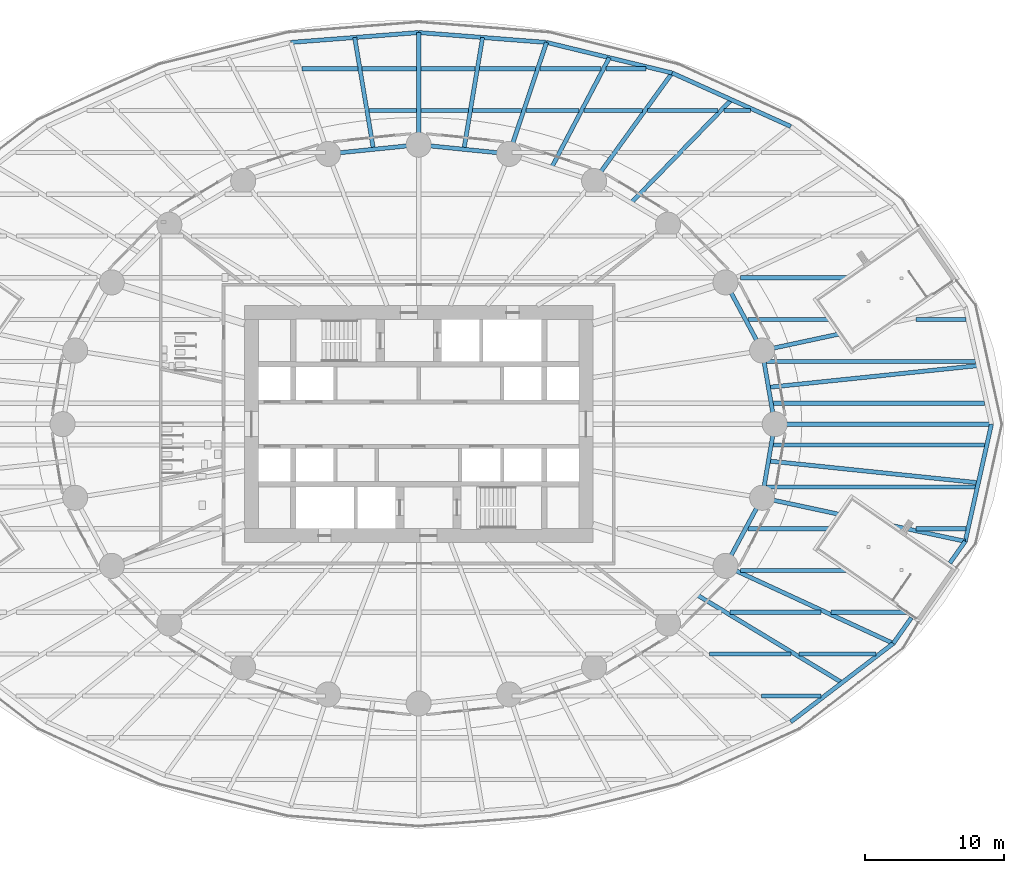
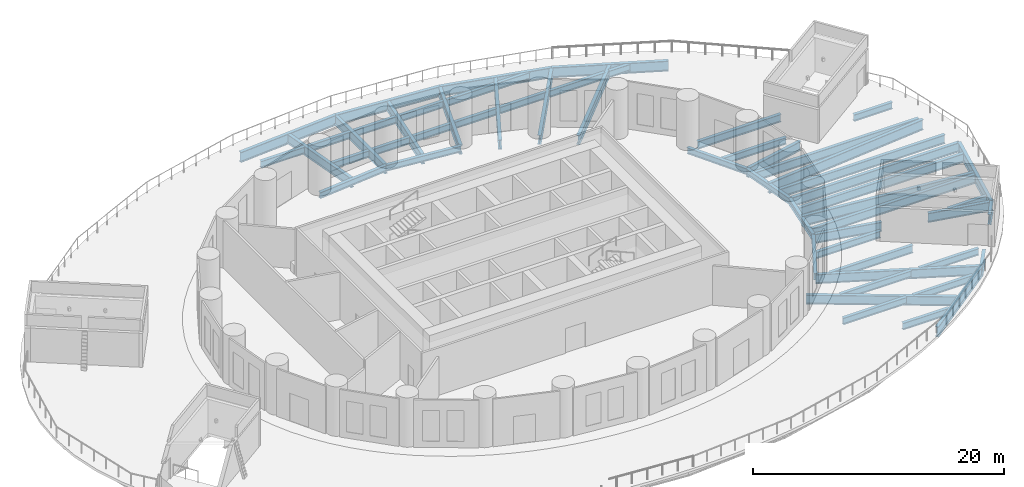
# One storey, part 5 of 17: 57 beams.
"""IFC4 building model written with IfcOpenShell, lengths in metres."""

from ifc_helpers import new_model, si_unit, direction, frame, origin, origin_2d, place, context, subcontext, project, spatial, i_section, extrude, material, material_profile, profile_set, type_object, element, save


model = new_model("IFC4")

# Units and contexts
model_context = context("Model", 3, precision=1e-05, world=origin(), true_north=direction((0.0, 1.0)))
body_context = subcontext(model_context, "Body", "Model", "MODEL_VIEW")
ifc_project = project(units=[si_unit("LENGTHUNIT", "METRE"), si_unit("AREAUNIT", "SQUARE_METRE"), si_unit("VOLUMEUNIT", "CUBIC_METRE"), si_unit("PLANEANGLEUNIT", "RADIAN"), si_unit("MASSUNIT", "GRAM", prefix="KILO")], contexts=[model_context])

# Site, building, storey
site_placement = place(None, origin())
site = spatial("IfcSite", under=ifc_project, at=site_placement, CompositionType="ELEMENT")
building_placement = place(site_placement, origin())
building = spatial("IfcBuilding", under=site, at=building_placement, Name="Hankou Lantern Tower", CompositionType="ELEMENT")
storey_placement = place(building_placement, frame((0.0, 0.0, 24.60009765625)))
storey = spatial("IfcBuildingStorey", under=building, at=storey_placement, Name="L04", CompositionType="ELEMENT", Elevation=24.60009765625)

# Beams
ifc_material_1 = material(Name="Steel Q355B", Category="steel")
ifc_material_profile_1 = material_profile(ifc_material_1, i_section(OverallWidth=0.300048828125, OverallDepth=0.587890625, WebThickness=0.011962890625, FlangeThickness=0.02001953125, FilletRadius=0.01806640625, at=origin_2d()), Name="HM588x300x12x20")
ifc_profile_set_1 = profile_set([ifc_material_profile_1], Name="Steel Q355B")
beam_type_1 = type_object("IfcBeamType", Name="EB16 RING BEAM HM588x300x12x20", PredefinedType="SPANDREL", material=ifc_profile_set_1)
beam_1_placement = place(storey_placement, frame((25.550048828125, 0.0, -0.544189453125), z_axis=(-0.168489691988, 0.985703415685, 0.0), x_axis=(-0.985703415685, -0.168489691988, 0.0)))
element("IfcBeam", 1, at=beam_1_placement, inside=storey, type_object=beam_type_1, Name="Ring beam R01-R02 L04", PredefinedType="SPANDREL", context=body_context, shape_type="SweptSolid", body=[
    extrude(i_section(OverallWidth=0.300048828125, OverallDepth=0.587890625, WebThickness=0.011962890625, FlangeThickness=0.02001953125, FilletRadius=0.01806640625, at=origin_2d()), origin(), (0.0, 0.0, 1.0), 5.35986328125),
])
beam_2_placement = place(storey_placement, frame((24.64697265625, 5.283203125, -0.544189453125), z_axis=(-0.473609096023, 0.880735161194, 0.0), x_axis=(-0.880735161194, -0.473609096023, 0.0)))
element("IfcBeam", 2, at=beam_2_placement, inside=storey, type_object=beam_type_1, Name="Ring beam R02-R03 L04", PredefinedType="SPANDREL", context=body_context, shape_type="SweptSolid", body=[
    extrude(i_section(OverallWidth=0.300048828125, OverallDepth=0.587890625, WebThickness=0.011962890625, FlangeThickness=0.02001953125, FilletRadius=0.01806640625, at=origin_2d()), origin(), (0.0, 0.0, 1.0), 5.548828125),
])
for number, where, z_axis, x_axis, name in (
    (3, (6.494873046875, 19.391357421875, -0.544189453125), (-0.994896616842, 0.100899562915, 0.0), (-0.100899562915, -0.994896616842, 0.0), "Ring beam R06-R07 L04"),
    (4, (0.0, 20.050048828125, -0.544189453125), (-0.994896616842, -0.100899562915, 0.0), (0.100899562915, -0.994896616842, 0.0), "Ring beam R07-R08 L04"),
):
    element("IfcBeam", number, at=place(storey_placement, frame(where, z_axis=z_axis, x_axis=x_axis)), inside=storey, type_object=beam_type_1, Name=name, PredefinedType="SPANDREL", context=body_context, shape_type="SweptSolid", body=[
        extrude(i_section(OverallWidth=0.300048828125, OverallDepth=0.587890625, WebThickness=0.011962890625, FlangeThickness=0.02001953125, FilletRadius=0.01806640625, at=origin_2d()), origin(), (0.0, 0.0, 1.0), 6.528076171875),
    ])
beam_3_placement = place(storey_placement, frame((22.01904296875, -10.170166015625, -0.544189453125), z_axis=(0.473609096023, 0.880735161194, 0.0), x_axis=(-0.880735161194, 0.473609096023, 0.0)))
element("IfcBeam", 5, at=beam_3_placement, inside=storey, type_object=beam_type_1, Name="Ring beam R23-R24 L04", PredefinedType="SPANDREL", context=body_context, shape_type="SweptSolid", body=[
    extrude(i_section(OverallWidth=0.300048828125, OverallDepth=0.587890625, WebThickness=0.011962890625, FlangeThickness=0.02001953125, FilletRadius=0.01806640625, at=origin_2d()), origin(), (0.0, 0.0, 1.0), 5.548828125),
])
beam_4_placement = place(storey_placement, frame((24.64697265625, -5.283203125, -0.544189453125), z_axis=(0.168489691988, 0.985703415685, 0.0), x_axis=(-0.985703415685, 0.168489691988, 0.0)))
element("IfcBeam", 6, at=beam_4_placement, inside=storey, type_object=beam_type_1, Name="Ring beam R24-R01 L04", PredefinedType="SPANDREL", context=body_context, shape_type="SweptSolid", body=[
    extrude(i_section(OverallWidth=0.300048828125, OverallDepth=0.587890625, WebThickness=0.011962890625, FlangeThickness=0.02001953125, FilletRadius=0.01806640625, at=origin_2d()), origin(), (0.0, 0.0, 1.0), 5.35986328125),
])
ifc_material_2 = material(Name="Steel Q355B", Category="steel")
ifc_material_profile_2 = material_profile(ifc_material_2, i_section(OverallWidth=0.300048828125, OverallDepth=0.89990234375, WebThickness=0.01611328125, FlangeThickness=0.028076171875, FilletRadius=0.01806640625, at=origin_2d()), Name="HN900x300x16x28")
ifc_profile_set_2 = profile_set([ifc_material_profile_2], Name="Steel Q355B")
beam_type_2 = type_object("IfcBeamType", Name="PB13 PODIUM RADIAL BEAM HN900x300x16x28", PredefinedType="BEAM", material=ifc_profile_set_2)
beam_5_placement = place(storey_placement, frame((25.550048828125, 0.0, -0.7001953125), z_axis=(1.0, 0.0, 0.0), x_axis=(0.0, 1.0, 0.0)))
element("IfcBeam", 7, at=beam_5_placement, inside=storey, type_object=beam_type_2, Name="Podium radial beam R01 L04", PredefinedType="BEAM", context=body_context, shape_type="SweptSolid", body=[
    extrude(i_section(OverallWidth=0.300048828125, OverallDepth=0.89990234375, WebThickness=0.01611328125, FlangeThickness=0.028076171875, FilletRadius=0.01806640625, at=origin_2d()), origin(), (0.0, 0.0, 1.0), 15.550048828125),
])
beam_6_placement = place(storey_placement, frame((24.64697265625, 5.283203125, -0.7001953125), z_axis=(0.977787338777, 0.209599427782, 0.0), x_axis=(-0.209599427782, 0.977787338777, 0.0)))
element("IfcBeam", 8, at=beam_6_placement, inside=storey, type_object=beam_type_2, Name="Podium radial beam R02 L04 inner part", PredefinedType="BEAM", context=body_context, shape_type="SweptSolid", body=[
    extrude(i_section(OverallWidth=0.300048828125, OverallDepth=0.89990234375, WebThickness=0.01611328125, FlangeThickness=0.028076171875, FilletRadius=0.01806640625, at=origin_2d()), origin(), (0.0, 0.0, 1.0), 5.68896484375),
])
beam_7_placement = place(storey_placement, frame((12.5908203125, 17.446533203125, -0.7001953125), z_axis=(0.585207097055, 0.810883871807, 0.0), x_axis=(-0.810883871807, 0.585207097055, 0.0)))
element("IfcBeam", 9, at=beam_7_placement, inside=storey, type_object=beam_type_2, Name="Podium radial beam R05 L04", PredefinedType="BEAM", context=body_context, shape_type="SweptSolid", body=[
    extrude(i_section(OverallWidth=0.300048828125, OverallDepth=0.89990234375, WebThickness=0.01611328125, FlangeThickness=0.028076171875, FilletRadius=0.01806640625, at=origin_2d()), origin(), (0.0, 0.0, 1.0), 9.56103515625),
])
beam_8_placement = place(storey_placement, frame((6.494873046875, 19.391357421875, -0.7001953125), z_axis=(0.317599116391, 0.948225079434, 0.0), x_axis=(-0.948225079434, 0.317599116391, 0.0)))
element("IfcBeam", 10, at=beam_8_placement, inside=storey, type_object=beam_type_2, Name="Podium radial beam R06 L04", PredefinedType="BEAM", context=body_context, shape_type="SweptSolid", body=[
    extrude(i_section(OverallWidth=0.300048828125, OverallDepth=0.89990234375, WebThickness=0.01611328125, FlangeThickness=0.028076171875, FilletRadius=0.01806640625, at=origin_2d()), origin(), (0.0, 0.0, 1.0), 8.4365234375),
])
beam_9_placement = place(storey_placement, frame((0.0, 20.050048828125, -0.7001953125), z_axis=(0.0, 1.0, 0.0), x_axis=(-1.0, 0.0, 0.0)))
element("IfcBeam", 11, at=beam_9_placement, inside=storey, type_object=beam_type_2, Name="Podium radial beam R07 L04", PredefinedType="BEAM", context=body_context, shape_type="SweptSolid", body=[
    extrude(i_section(OverallWidth=0.300048828125, OverallDepth=0.89990234375, WebThickness=0.01611328125, FlangeThickness=0.028076171875, FilletRadius=0.01806640625, at=origin_2d()), origin(), (0.0, 0.0, 1.0), 8.050048828125),
])
beam_10_placement = place(storey_placement, frame((22.01904296875, -10.170166015625, -0.7001953125), z_axis=(0.907840792808, -0.419315030633, 0.0), x_axis=(0.419315030633, 0.907840792808, 0.0)))
element("IfcBeam", 12, at=beam_10_placement, inside=storey, type_object=beam_type_2, Name="Podium radial beam R23 L04", PredefinedType="BEAM", context=body_context, shape_type="SweptSolid", body=[
    extrude(i_section(OverallWidth=0.300048828125, OverallDepth=0.89990234375, WebThickness=0.01611328125, FlangeThickness=0.028076171875, FilletRadius=0.01806640625, at=origin_2d()), origin(), (0.0, 0.0, 1.0), 13.259765625),
])
beam_11_placement = place(storey_placement, frame((24.64697265625, -5.283203125, -0.7001953125), z_axis=(0.977787338777, -0.209599427782, 0.0), x_axis=(0.209599427782, 0.977787338777, 0.0)))
element("IfcBeam", 13, at=beam_11_placement, inside=storey, type_object=beam_type_2, Name="Podium radial beam R24 L04 inner part", PredefinedType="BEAM", context=body_context, shape_type="SweptSolid", body=[
    extrude(i_section(OverallWidth=0.300048828125, OverallDepth=0.89990234375, WebThickness=0.01611328125, FlangeThickness=0.028076171875, FilletRadius=0.01806640625, at=origin_2d()), origin(), (0.0, 0.0, 1.0), 5.68896484375),
])
beam_12_placement = place(storey_placement, frame((34.01025390625, -7.29052734375, -0.7001953125), z_axis=(0.977788323488, -0.209594834028, 0.0), x_axis=(0.209594834028, 0.977788323488, 0.0)))
element("IfcBeam", 14, at=beam_12_placement, inside=storey, type_object=beam_type_2, Name="Podium radial beam R24 L04 outer part", PredefinedType="BEAM", context=body_context, shape_type="SweptSolid", body=[
    extrude(i_section(OverallWidth=0.300048828125, OverallDepth=0.89990234375, WebThickness=0.01611328125, FlangeThickness=0.028076171875, FilletRadius=0.01806640625, at=origin_2d()), origin(), (0.0, 0.0, 1.0), 5.32568359375),
])
ifc_material_3 = material(Name="Steel Q355B", Category="steel")
ifc_material_profile_3 = material_profile(ifc_material_3, i_section(OverallWidth=0.300048828125, OverallDepth=1.0, WebThickness=0.01904296875, FlangeThickness=0.035888671875, FilletRadius=0.01806640625, at=origin_2d()), Name="HN1000x300x19x36")
ifc_profile_set_3 = profile_set([ifc_material_profile_3], Name="Steel Q355B")
beam_type_3 = type_object("IfcBeamType", Name="PR22 PODIUM RING BEAM HN1000x300x19x36", PredefinedType="BEAM", material=ifc_profile_set_3)
beam_13_placement = place(storey_placement, frame((26.7021484375, 21.361572265625, -0.75), z_axis=(-0.911695429723, 0.410866697874, 0.0), x_axis=(-0.410866697874, -0.911695429723, 0.0)))
element("IfcBeam", 15, at=beam_13_placement, inside=storey, type_object=beam_type_3, Name="Podium ring beam R04-R05 L04", PredefinedType="BEAM", context=body_context, shape_type="SweptSolid", body=[
    extrude(i_section(OverallWidth=0.300048828125, OverallDepth=1.0, WebThickness=0.01904296875, FlangeThickness=0.035888671875, FilletRadius=0.01806640625, at=origin_2d()), origin(), (0.0, 0.0, 1.0), 9.341064453125),
])
beam_14_placement = place(storey_placement, frame((18.18603515625, 25.199462890625, -0.75), z_axis=(-0.971677242441, 0.23631194748, 0.0), x_axis=(-0.23631194748, -0.971677242441, 0.0)))
element("IfcBeam", 16, at=beam_14_placement, inside=storey, type_object=beam_type_3, Name="Podium ring beam R05-R06 L04", PredefinedType="BEAM", context=body_context, shape_type="SweptSolid", body=[
    extrude(i_section(OverallWidth=0.300048828125, OverallDepth=1.0, WebThickness=0.01904296875, FlangeThickness=0.035888671875, FilletRadius=0.01806640625, at=origin_2d()), origin(), (0.0, 0.0, 1.0), 9.2744140625),
])
for number, where, z_axis, x_axis, name in (
    (17, (9.17431640625, 27.39111328125, -0.75), (-0.997027266507, 0.077049528499, 0.0), (-0.077049528499, -0.997027266507, 0.0), "Podium ring beam R06-R07 L04"),
    (18, (0.0, 28.10009765625, -0.75), (-0.997027266507, -0.077049528499, 0.0), (0.077049528499, -0.997027266507, 0.0), "Podium ring beam R07-R08 L04"),
):
    element("IfcBeam", number, at=place(storey_placement, frame(where, z_axis=z_axis, x_axis=x_axis)), inside=storey, type_object=beam_type_3, Name=name, PredefinedType="BEAM", context=body_context, shape_type="SweptSolid", body=[
        extrude(i_section(OverallWidth=0.300048828125, OverallDepth=1.0, WebThickness=0.01904296875, FlangeThickness=0.035888671875, FilletRadius=0.01806640625, at=origin_2d()), origin(), (0.0, 0.0, 1.0), 9.20166015625),
    ])
beam_15_placement = place(storey_placement, frame((26.7021484375, -21.361572265625, -0.75), z_axis=(0.793985875103, 0.607936205647, 0.0), x_axis=(-0.607936205647, 0.793985875103, 0.0)))
element("IfcBeam", 19, at=beam_15_placement, inside=storey, type_object=beam_type_3, Name="Podium ring beam R22-R23 L04", PredefinedType="BEAM", context=body_context, shape_type="SweptSolid", body=[
    extrude(i_section(OverallWidth=0.300048828125, OverallDepth=1.0, WebThickness=0.01904296875, FlangeThickness=0.035888671875, FilletRadius=0.01806640625, at=origin_2d()), origin(), (0.0, 0.0, 1.0), 9.262939453125),
])
beam_16_placement = place(storey_placement, frame((34.056884765625, -15.730224609375, -0.75), z_axis=(0.576006222853, 0.817445307794, 0.0), x_axis=(-0.817445307794, 0.576006222853, 0.0)))
element("IfcBeam", 20, at=beam_16_placement, inside=storey, type_object=beam_type_3, Name="Podium ring beam R23-R24 L04 west part", PredefinedType="BEAM", context=body_context, shape_type="SweptSolid", body=[
    extrude(i_section(OverallWidth=0.300048828125, OverallDepth=1.0, WebThickness=0.01904296875, FlangeThickness=0.035888671875, FilletRadius=0.01806640625, at=origin_2d()), origin(), (0.0, 0.0, 1.0), 2.251953125),
])
beam_17_placement = place(storey_placement, frame((38.118896484375, -9.9658203125, -0.75), z_axis=(0.576019631526, 0.817435859317, 0.0), x_axis=(-0.817435859317, 0.576019631526, 0.0)))
element("IfcBeam", 21, at=beam_17_placement, inside=storey, type_object=beam_type_3, Name="Podium ring beam R23-R24 L04 east part", PredefinedType="BEAM", context=body_context, shape_type="SweptSolid", body=[
    extrude(i_section(OverallWidth=0.300048828125, OverallDepth=1.0, WebThickness=0.01904296875, FlangeThickness=0.035888671875, FilletRadius=0.01806640625, at=origin_2d()), origin(), (0.0, 0.0, 1.0), 1.9072265625),
])
beam_18_placement = place(storey_placement, frame((39.217529296875, -8.40673828125, -0.75), z_axis=(0.218523498172, 0.975831686689, 0.0), x_axis=(-0.975831686689, 0.218523498172, 0.0)))
element("IfcBeam", 22, at=beam_18_placement, inside=storey, type_object=beam_type_3, Name="Podium ring beam R24-R01 L04", PredefinedType="BEAM", context=body_context, shape_type="SweptSolid", body=[
    extrude(i_section(OverallWidth=0.300048828125, OverallDepth=1.0, WebThickness=0.01904296875, FlangeThickness=0.035888671875, FilletRadius=0.01806640625, at=origin_2d()), origin(), (0.0, 0.0, 1.0), 8.614990234375),
])
ifc_material_4 = material(Name="Steel Q355B", Category="steel")
ifc_material_profile_4 = material_profile(ifc_material_4, i_section(OverallWidth=0.300048828125, OverallDepth=0.89990234375, WebThickness=0.01611328125, FlangeThickness=0.028076171875, FilletRadius=0.01806640625, at=origin_2d()), Name="HN900x300x16x28")
ifc_profile_set_4 = profile_set([ifc_material_profile_4], Name="Steel Q355B")
beam_type_4 = type_object("IfcBeamType", Name="PS13 PODIUM SECONDARY BEAM HN900x300x16x28", PredefinedType="JOIST", material=ifc_profile_set_4)
beam_19_placement = place(storey_placement, frame((15.2412109375, 15.8798828125, -0.7001953125), z_axis=(0.697467529957, 0.716616385981, 0.0), x_axis=(-0.716616385981, 0.697467529957, 0.0)))
element("IfcBeam", 23, at=beam_19_placement, inside=storey, type_object=beam_type_4, Name="Podium secondary beam bay R04 L04", PredefinedType="JOIST", context=body_context, shape_type="SweptSolid", body=[
    extrude(i_section(OverallWidth=0.300048828125, OverallDepth=0.89990234375, WebThickness=0.01611328125, FlangeThickness=0.028076171875, FilletRadius=0.01806640625, at=origin_2d()), origin(), (0.0, 0.0, 1.0), 10.3271484375),
])
beam_20_placement = place(storey_placement, frame((9.54296875, 18.4189453125, -0.7001953125), z_axis=(0.465026961303, 0.88529651827, 0.0), x_axis=(-0.88529651827, 0.465026961303, 0.0)))
element("IfcBeam", 24, at=beam_20_placement, inside=storey, type_object=beam_type_4, Name="Podium secondary beam bay R05 L04", PredefinedType="JOIST", context=body_context, shape_type="SweptSolid", body=[
    extrude(i_section(OverallWidth=0.300048828125, OverallDepth=0.89990234375, WebThickness=0.01611328125, FlangeThickness=0.028076171875, FilletRadius=0.01806640625, at=origin_2d()), origin(), (0.0, 0.0, 1.0), 8.896728515625),
])
for number, where, z_axis, x_axis, name in (
    (25, (3.24755859375, 19.720703125, -0.7001953125), (0.164652019445, 0.986351718452, 0.0), (-0.986351718452, 0.164652019445, 0.0), "Podium secondary beam bay R06 L04"),
    (26, (-3.24755859375, 19.720703125, -0.7001953125), (-0.164652019445, 0.986351718452, 0.0), (-0.986351718452, -0.164652019445, 0.0), "Podium secondary beam bay R07 L04"),
):
    element("IfcBeam", number, at=place(storey_placement, frame(where, z_axis=z_axis, x_axis=x_axis)), inside=storey, type_object=beam_type_4, Name=name, PredefinedType="JOIST", context=body_context, shape_type="SweptSolid", body=[
        extrude(i_section(OverallWidth=0.300048828125, OverallDepth=0.89990234375, WebThickness=0.01611328125, FlangeThickness=0.028076171875, FilletRadius=0.01806640625, at=origin_2d()), origin(), (0.0, 0.0, 1.0), 8.135986328125),
    ])
beam_21_placement = place(storey_placement, frame((19.955322265625, -12.24169921875, -0.7001953125), z_axis=(0.855685755165, -0.517495785884, 0.0), x_axis=(0.517495785884, 0.855685755165, 0.0)))
element("IfcBeam", 27, at=beam_21_placement, inside=storey, type_object=beam_type_4, Name="Podium secondary beam bay R22 L04", PredefinedType="JOIST", context=body_context, shape_type="SweptSolid", body=[
    extrude(i_section(OverallWidth=0.300048828125, OverallDepth=0.89990234375, WebThickness=0.01611328125, FlangeThickness=0.028076171875, FilletRadius=0.01806640625, at=origin_2d()), origin(), (0.0, 0.0, 1.0), 12.18212890625),
])
ifc_material_5 = material(Name="Steel Q355B", Category="steel")
ifc_material_profile_5 = material_profile(ifc_material_5, i_section(OverallWidth=0.300048828125, OverallDepth=1.0, WebThickness=0.01904296875, FlangeThickness=0.035888671875, FilletRadius=0.01806640625, at=origin_2d()), Name="HN1000x300x19x36")
ifc_profile_set_5 = profile_set([ifc_material_profile_5], Name="Steel Q355B")
beam_type_5 = type_object("IfcBeamType", Name="PS22 PODIUM SECONDARY BEAM HN1000x300x19x36", PredefinedType="JOIST", material=ifc_profile_set_5)
for number, where, z_axis, x_axis, name in (
    (28, (25.098388671875, 2.6416015625, -0.75), (0.994666039581, 0.103147805132, 0.0), (-0.103147805132, 0.994666039581, 0.0), "Podium secondary beam bay R01 L04"),
    (29, (25.098388671875, -2.6416015625, -0.75), (0.994666039581, -0.103147805132, 0.0), (0.103147805132, 0.994666039581, 0.0), "Podium secondary beam bay R24 L04"),
):
    element("IfcBeam", number, at=place(storey_placement, frame(where, z_axis=z_axis, x_axis=x_axis)), inside=storey, type_object=beam_type_5, Name=name, PredefinedType="JOIST", context=body_context, shape_type="SweptSolid", body=[
        extrude(i_section(OverallWidth=0.300048828125, OverallDepth=1.0, WebThickness=0.01904296875, FlangeThickness=0.035888671875, FilletRadius=0.01806640625, at=origin_2d()), origin(), (0.0, 0.0, 1.0), 15.14111328125),
    ])
ifc_material_6 = material(Name="Steel Q355B", Category="steel")
ifc_material_profile_6 = material_profile(ifc_material_6, i_section(OverallWidth=0.300048828125, OverallDepth=0.75, WebThickness=0.012939453125, FlangeThickness=0.02392578125, FilletRadius=0.01806640625, at=origin_2d()), Name="HN750x300x13x24")
ifc_profile_set_6 = profile_set([ifc_material_profile_6], Name="Steel Q355B")
beam_type_6 = type_object("IfcBeamType", Name="SB10 SECONDARY BEAM HN750x300x13x24", PredefinedType="JOIST", material=ifc_profile_set_6)
for number, where, z_axis, x_axis, name in (
    (30, (23.0908203125, -10.5, -0.625), (1.0, 0.0, 0.0), (0.0, 1.0, 0.0), "Floor joist JT044 L04"),
    (31, (23.0908203125, 10.5, -0.625), (1.0, 0.0, 0.0), (0.0, 1.0, 0.0), "Floor joist JT062 L04"),
):
    element("IfcBeam", number, at=place(storey_placement, frame(where, z_axis=z_axis, x_axis=x_axis)), inside=storey, type_object=beam_type_6, Name=name, PredefinedType="JOIST", context=body_context, shape_type="SweptSolid", body=[
        extrude(i_section(OverallWidth=0.300048828125, OverallDepth=0.75, WebThickness=0.012939453125, FlangeThickness=0.02392578125, FilletRadius=0.01806640625, at=origin_2d()), origin(), (0.0, 0.0, 1.0), 7.653076171875),
    ])
ifc_material_7 = material(Name="Steel Q355B", Category="steel")
ifc_material_profile_7 = material_profile(ifc_material_7, i_section(OverallWidth=0.300048828125, OverallDepth=0.85009765625, WebThickness=0.01611328125, FlangeThickness=0.027099609375, FilletRadius=0.01806640625, at=origin_2d()), Name="HN850x300x16x27")
ifc_profile_set_7 = profile_set([ifc_material_profile_7], Name="Steel Q355B")
beam_type_7 = type_object("IfcBeamType", Name="SB12 SECONDARY BEAM HN850x300x16x27", PredefinedType="JOIST", material=ifc_profile_set_7)
beam_22_placement = place(storey_placement, frame((24.93310546875, -4.5, -0.675048828125), z_axis=(1.0, 0.0, 0.0), x_axis=(0.0, 1.0, 0.0)))
element("IfcBeam", 32, at=beam_22_placement, inside=storey, type_object=beam_type_7, Name="Floor joist JT050 L04", PredefinedType="JOIST", context=body_context, shape_type="SweptSolid", body=[
    extrude(i_section(OverallWidth=0.300048828125, OverallDepth=0.85009765625, WebThickness=0.01611328125, FlangeThickness=0.027099609375, FilletRadius=0.01806640625, at=origin_2d()), origin(), (0.0, 0.0, 1.0), 15.005615234375),
])
for number, where, z_axis, x_axis, name in (
    (33, (25.44580078125, -1.5, -0.675048828125), (1.0, 0.0, 0.0), (0.0, 1.0, 0.0), "Floor joist JT052 L04"),
    (34, (25.44580078125, 1.5, -0.675048828125), (1.0, 0.0, 0.0), (0.0, 1.0, 0.0), "Floor joist JT054 L04"),
):
    element("IfcBeam", number, at=place(storey_placement, frame(where, z_axis=z_axis, x_axis=x_axis)), inside=storey, type_object=beam_type_7, Name=name, PredefinedType="JOIST", context=body_context, shape_type="SweptSolid", body=[
        extrude(i_section(OverallWidth=0.300048828125, OverallDepth=0.85009765625, WebThickness=0.01611328125, FlangeThickness=0.027099609375, FilletRadius=0.01806640625, at=origin_2d()), origin(), (0.0, 0.0, 1.0), 15.16455078125),
    ])
beam_23_placement = place(storey_placement, frame((24.93310546875, 4.5, -0.675048828125), z_axis=(1.0, 0.0, 0.0), x_axis=(0.0, 1.0, 0.0)))
element("IfcBeam", 35, at=beam_23_placement, inside=storey, type_object=beam_type_7, Name="Floor joist JT056 L04", PredefinedType="JOIST", context=body_context, shape_type="SweptSolid", body=[
    extrude(i_section(OverallWidth=0.300048828125, OverallDepth=0.85009765625, WebThickness=0.01611328125, FlangeThickness=0.027099609375, FilletRadius=0.01806640625, at=origin_2d()), origin(), (0.0, 0.0, 1.0), 15.005615234375),
])
ifc_material_8 = material(Name="Steel Q355B", Category="steel")
ifc_material_profile_8 = material_profile(ifc_material_8, i_section(OverallWidth=0.300048828125, OverallDepth=0.64990234375, WebThickness=0.010986328125, FlangeThickness=0.01708984375, FilletRadius=0.01806640625, at=origin_2d()), Name="HN650x300x11x17")
ifc_profile_set_8 = profile_set([ifc_material_profile_8], Name="Steel Q355B")
beam_type_8 = type_object("IfcBeamType", Name="SB8 SECONDARY BEAM HN650x300x11x17", PredefinedType="JOIST", material=ifc_profile_set_8)
beam_24_placement = place(storey_placement, frame((24.615234375, -19.5, -0.5751953125), z_axis=(1.0, 0.0, 0.0), x_axis=(0.0, 1.0, 0.0)))
element("IfcBeam", 36, at=beam_24_placement, inside=storey, type_object=beam_type_8, Name="Floor joist JT030 L04", PredefinedType="JOIST", context=body_context, shape_type="SweptSolid", body=[
    extrude(i_section(OverallWidth=0.300048828125, OverallDepth=0.64990234375, WebThickness=0.010986328125, FlangeThickness=0.01708984375, FilletRadius=0.01806640625, at=origin_2d()), origin(), (0.0, 0.0, 1.0), 4.271484375),
])
beam_25_placement = place(storey_placement, frame((20.865234375, -16.5, -0.5751953125), z_axis=(1.0, 0.0, 0.0), x_axis=(0.0, 1.0, 0.0)))
element("IfcBeam", 37, at=beam_25_placement, inside=storey, type_object=beam_type_8, Name="Floor joist JT035 L04", PredefinedType="JOIST", context=body_context, shape_type="SweptSolid", body=[
    extrude(i_section(OverallWidth=0.300048828125, OverallDepth=0.64990234375, WebThickness=0.010986328125, FlangeThickness=0.01708984375, FilletRadius=0.01806640625, at=origin_2d()), origin(), (0.0, 0.0, 1.0), 5.84130859375),
])
beam_26_placement = place(storey_placement, frame((27.286376953125, -16.5, -0.5751953125), z_axis=(1.0, 0.0, 0.0), x_axis=(0.0, 1.0, 0.0)))
element("IfcBeam", 38, at=beam_26_placement, inside=storey, type_object=beam_type_8, Name="Floor joist JT036 L04", PredefinedType="JOIST", context=body_context, shape_type="SweptSolid", body=[
    extrude(i_section(OverallWidth=0.300048828125, OverallDepth=0.64990234375, WebThickness=0.010986328125, FlangeThickness=0.01708984375, FilletRadius=0.01806640625, at=origin_2d()), origin(), (0.0, 0.0, 1.0), 5.518310546875),
])
beam_27_placement = place(storey_placement, frame((22.32568359375, -13.5, -0.5751953125), z_axis=(1.0, 0.0, 0.0), x_axis=(0.0, 1.0, 0.0)))
element("IfcBeam", 39, at=beam_27_placement, inside=storey, type_object=beam_type_8, Name="Floor joist JT041 L04", PredefinedType="JOIST", context=body_context, shape_type="SweptSolid", body=[
    extrude(i_section(OverallWidth=0.300048828125, OverallDepth=0.64990234375, WebThickness=0.010986328125, FlangeThickness=0.01708984375, FilletRadius=0.01806640625, at=origin_2d()), origin(), (0.0, 0.0, 1.0), 6.544921875),
])
beam_28_placement = place(storey_placement, frame((29.586181640625, -13.5, -0.5751953125), z_axis=(1.0, 0.0, 0.0), x_axis=(0.0, 1.0, 0.0)))
element("IfcBeam", 40, at=beam_28_placement, inside=storey, type_object=beam_type_8, Name="Floor joist JT042 L04", PredefinedType="JOIST", context=body_context, shape_type="SweptSolid", body=[
    extrude(i_section(OverallWidth=0.300048828125, OverallDepth=0.64990234375, WebThickness=0.010986328125, FlangeThickness=0.01708984375, FilletRadius=0.01806640625, at=origin_2d()), origin(), (0.0, 0.0, 1.0), 5.470703125),
])
beam_29_placement = place(storey_placement, frame((23.625244140625, -7.5, -0.5751953125), z_axis=(1.0, 0.0, 0.0), x_axis=(0.0, 1.0, 0.0)))
element("IfcBeam", 41, at=beam_29_placement, inside=storey, type_object=beam_type_8, Name="Floor joist JT047 L04", PredefinedType="JOIST", context=body_context, shape_type="SweptSolid", body=[
    extrude(i_section(OverallWidth=0.300048828125, OverallDepth=0.64990234375, WebThickness=0.010986328125, FlangeThickness=0.01708984375, FilletRadius=0.01806640625, at=origin_2d()), origin(), (0.0, 0.0, 1.0), 5.87158203125),
])
beam_30_placement = place(storey_placement, frame((35.70361328125, -7.5, -0.5751953125), z_axis=(1.0, 0.0, 0.0), x_axis=(0.0, 1.0, 0.0)))
element("IfcBeam", 42, at=beam_30_placement, inside=storey, type_object=beam_type_8, Name="Floor joist JT048 L04", PredefinedType="JOIST", context=body_context, shape_type="SweptSolid", body=[
    extrude(i_section(OverallWidth=0.300048828125, OverallDepth=0.64990234375, WebThickness=0.010986328125, FlangeThickness=0.01708984375, FilletRadius=0.01806640625, at=origin_2d()), origin(), (0.0, 0.0, 1.0), 3.563232421875),
])
beam_31_placement = place(storey_placement, frame((23.625244140625, 7.5, -0.5751953125), z_axis=(1.0, 0.0, 0.0), x_axis=(0.0, 1.0, 0.0)))
element("IfcBeam", 43, at=beam_31_placement, inside=storey, type_object=beam_type_8, Name="Floor joist JT059 L04", PredefinedType="JOIST", context=body_context, shape_type="SweptSolid", body=[
    extrude(i_section(OverallWidth=0.300048828125, OverallDepth=0.64990234375, WebThickness=0.010986328125, FlangeThickness=0.01708984375, FilletRadius=0.01806640625, at=origin_2d()), origin(), (0.0, 0.0, 1.0), 5.87158203125),
])
beam_32_placement = place(storey_placement, frame((35.70361328125, 7.5, -0.5751953125), z_axis=(1.0, 0.0, 0.0), x_axis=(0.0, 1.0, 0.0)))
element("IfcBeam", 44, at=beam_32_placement, inside=storey, type_object=beam_type_8, Name="Floor joist JT060 L04", PredefinedType="JOIST", context=body_context, shape_type="SweptSolid", body=[
    extrude(i_section(OverallWidth=0.300048828125, OverallDepth=0.64990234375, WebThickness=0.010986328125, FlangeThickness=0.01708984375, FilletRadius=0.01806640625, at=origin_2d()), origin(), (0.0, 0.0, 1.0), 3.563232421875),
])
for number, where, z_axis, x_axis, name in (
    (45, (-3.559326171875, 22.5, -0.5751953125), (1.0, 0.0, 0.0), (0.0, 1.0, 0.0), "Floor joist JT090 L04"),
    (46, (0.14990234375, 22.5, -0.5751953125), (1.0, 0.0, 0.0), (0.0, 1.0, 0.0), "Floor joist JT091 L04"),
):
    element("IfcBeam", number, at=place(storey_placement, frame(where, z_axis=z_axis, x_axis=x_axis)), inside=storey, type_object=beam_type_8, Name=name, PredefinedType="JOIST", context=body_context, shape_type="SweptSolid", body=[
        extrude(i_section(OverallWidth=0.300048828125, OverallDepth=0.64990234375, WebThickness=0.010986328125, FlangeThickness=0.01708984375, FilletRadius=0.01806640625, at=origin_2d()), origin(), (0.0, 0.0, 1.0), 3.409423828125),
    ])
beam_33_placement = place(storey_placement, frame((3.863525390625, 22.5, -0.5751953125), z_axis=(1.0, 0.0, 0.0), x_axis=(0.0, 1.0, 0.0)))
element("IfcBeam", 47, at=beam_33_placement, inside=storey, type_object=beam_type_8, Name="Floor joist JT092 L04", PredefinedType="JOIST", context=body_context, shape_type="SweptSolid", body=[
    extrude(i_section(OverallWidth=0.300048828125, OverallDepth=0.64990234375, WebThickness=0.010986328125, FlangeThickness=0.01708984375, FilletRadius=0.01806640625, at=origin_2d()), origin(), (0.0, 0.0, 1.0), 3.514404296875),
])
beam_34_placement = place(storey_placement, frame((7.6943359375, 22.5, -0.5751953125), z_axis=(1.0, 0.0, 0.0), x_axis=(0.0, 1.0, 0.0)))
element("IfcBeam", 48, at=beam_34_placement, inside=storey, type_object=beam_type_8, Name="Floor joist JT093 L04", PredefinedType="JOIST", context=body_context, shape_type="SweptSolid", body=[
    extrude(i_section(OverallWidth=0.300048828125, OverallDepth=0.64990234375, WebThickness=0.010986328125, FlangeThickness=0.01708984375, FilletRadius=0.01806640625, at=origin_2d()), origin(), (0.0, 0.0, 1.0), 3.82275390625),
])
beam_35_placement = place(storey_placement, frame((11.85595703125, 22.5, -0.5751953125), z_axis=(1.0, 0.0, 0.0), x_axis=(0.0, 1.0, 0.0)))
element("IfcBeam", 49, at=beam_35_placement, inside=storey, type_object=beam_type_8, Name="Floor joist JT094 L04", PredefinedType="JOIST", context=body_context, shape_type="SweptSolid", body=[
    extrude(i_section(OverallWidth=0.300048828125, OverallDepth=0.64990234375, WebThickness=0.010986328125, FlangeThickness=0.01708984375, FilletRadius=0.01806640625, at=origin_2d()), origin(), (0.0, 0.0, 1.0), 4.197021484375),
])
beam_36_placement = place(storey_placement, frame((16.423095703125, 22.5, -0.5751953125), z_axis=(1.0, 0.0, 0.0), x_axis=(0.0, 1.0, 0.0)))
element("IfcBeam", 50, at=beam_36_placement, inside=storey, type_object=beam_type_8, Name="Floor joist JT095 L04", PredefinedType="JOIST", context=body_context, shape_type="SweptSolid", body=[
    extrude(i_section(OverallWidth=0.300048828125, OverallDepth=0.64990234375, WebThickness=0.010986328125, FlangeThickness=0.01708984375, FilletRadius=0.01806640625, at=origin_2d()), origin(), (0.0, 0.0, 1.0), 5.052001953125),
])
beam_37_placement = place(storey_placement, frame((21.893798828125, 22.5, -0.5751953125), z_axis=(1.0, 0.0, 0.0), x_axis=(0.0, 1.0, 0.0)))
element("IfcBeam", 51, at=beam_37_placement, inside=storey, type_object=beam_type_8, Name="Floor joist JT096 L04", PredefinedType="JOIST", context=body_context, shape_type="SweptSolid", body=[
    extrude(i_section(OverallWidth=0.300048828125, OverallDepth=0.64990234375, WebThickness=0.010986328125, FlangeThickness=0.01708984375, FilletRadius=0.01806640625, at=origin_2d()), origin(), (0.0, 0.0, 1.0), 1.917236328125),
])
beam_38_placement = place(storey_placement, frame((-8.3828125, 25.5, -0.5751953125), z_axis=(1.0, 0.0, 0.0), x_axis=(0.0, 1.0, 0.0)))
element("IfcBeam", 52, at=beam_38_placement, inside=storey, type_object=beam_type_8, Name="Floor joist JT099 L04", PredefinedType="JOIST", context=body_context, shape_type="SweptSolid", body=[
    extrude(i_section(OverallWidth=0.300048828125, OverallDepth=0.64990234375, WebThickness=0.010986328125, FlangeThickness=0.01708984375, FilletRadius=0.01806640625, at=origin_2d()), origin(), (0.0, 0.0, 1.0), 4.0185546875),
])
for number, where, z_axis, x_axis, name in (
    (53, (-4.060302734375, 25.5, -0.5751953125), (1.0, 0.0, 0.0), (0.0, 1.0, 0.0), "Floor joist JT100 L04"),
    (54, (0.14990234375, 25.5, -0.5751953125), (1.0, 0.0, 0.0), (0.0, 1.0, 0.0), "Floor joist JT101 L04"),
):
    element("IfcBeam", number, at=place(storey_placement, frame(where, z_axis=z_axis, x_axis=x_axis)), inside=storey, type_object=beam_type_8, Name=name, PredefinedType="JOIST", context=body_context, shape_type="SweptSolid", body=[
        extrude(i_section(OverallWidth=0.300048828125, OverallDepth=0.64990234375, WebThickness=0.010986328125, FlangeThickness=0.01708984375, FilletRadius=0.01806640625, at=origin_2d()), origin(), (0.0, 0.0, 1.0), 3.910400390625),
    ])
beam_39_placement = place(storey_placement, frame((4.3642578125, 25.5, -0.5751953125), z_axis=(1.0, 0.0, 0.0), x_axis=(0.0, 1.0, 0.0)))
element("IfcBeam", 55, at=beam_39_placement, inside=storey, type_object=beam_type_8, Name="Floor joist JT102 L04", PredefinedType="JOIST", context=body_context, shape_type="SweptSolid", body=[
    extrude(i_section(OverallWidth=0.300048828125, OverallDepth=0.64990234375, WebThickness=0.010986328125, FlangeThickness=0.01708984375, FilletRadius=0.01806640625, at=origin_2d()), origin(), (0.0, 0.0, 1.0), 4.0185546875),
])
beam_40_placement = place(storey_placement, frame((8.698974609375, 25.5, -0.5751953125), z_axis=(1.0, 0.0, 0.0), x_axis=(0.0, 1.0, 0.0)))
element("IfcBeam", 56, at=beam_40_placement, inside=storey, type_object=beam_type_8, Name="Floor joist JT103 L04", PredefinedType="JOIST", context=body_context, shape_type="SweptSolid", body=[
    extrude(i_section(OverallWidth=0.300048828125, OverallDepth=0.64990234375, WebThickness=0.010986328125, FlangeThickness=0.01708984375, FilletRadius=0.01806640625, at=origin_2d()), origin(), (0.0, 0.0, 1.0), 4.39404296875),
])
beam_41_placement = place(storey_placement, frame((13.431884765625, 25.5, -0.5751953125), z_axis=(1.0, 0.0, 0.0), x_axis=(0.0, 1.0, 0.0)))
element("IfcBeam", 57, at=beam_41_placement, inside=storey, type_object=beam_type_8, Name="Floor joist JT104 L04", PredefinedType="JOIST", context=body_context, shape_type="SweptSolid", body=[
    extrude(i_section(OverallWidth=0.300048828125, OverallDepth=0.64990234375, WebThickness=0.010986328125, FlangeThickness=0.01708984375, FilletRadius=0.01806640625, at=origin_2d()), origin(), (0.0, 0.0, 1.0), 2.883544921875),
])

save(model, "model.ifc")
